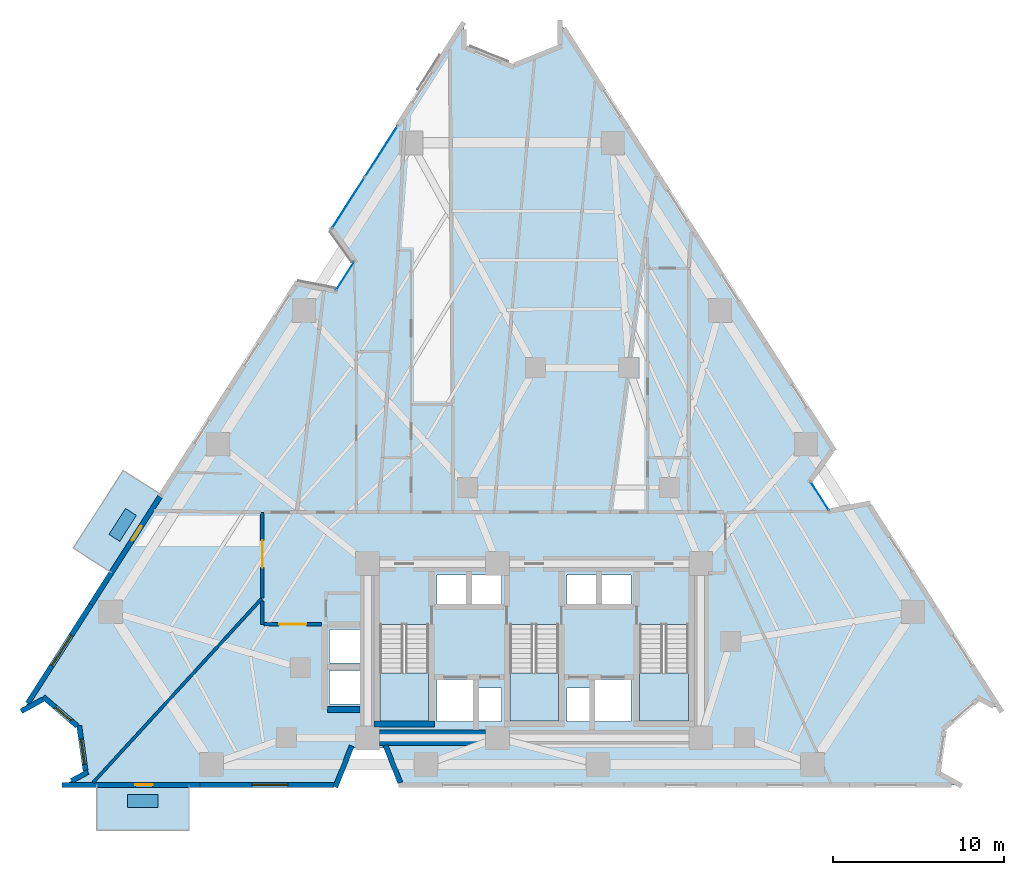
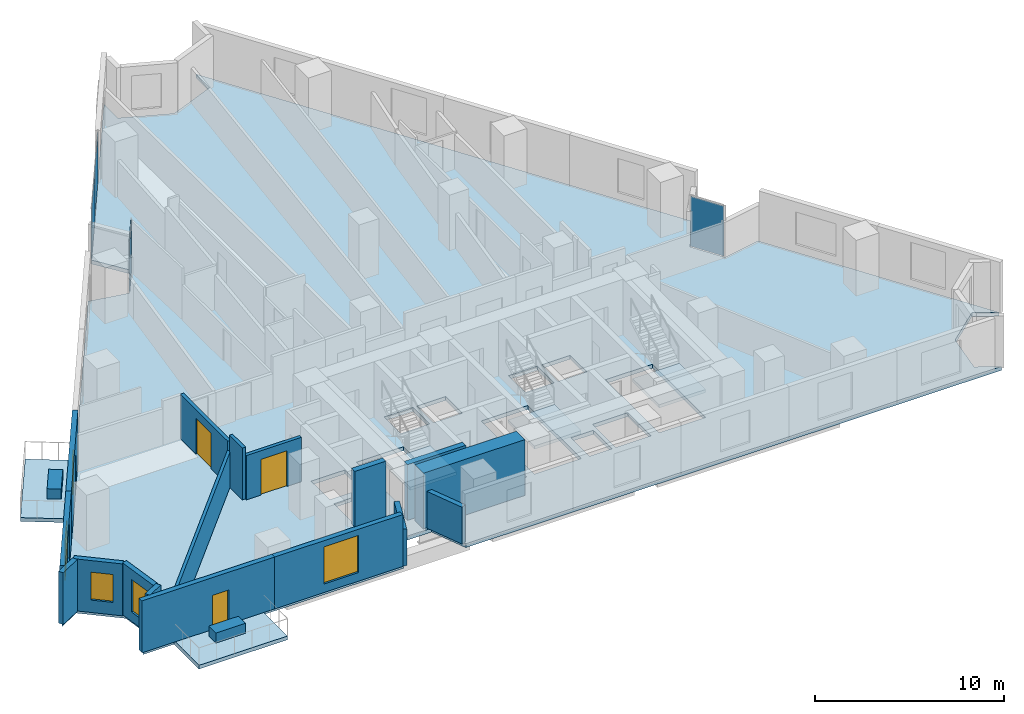
# One storey, part 6 of 14: 17 walls, 6 plates, 6 slabs, 4 doors, 4 windows, 8 openings, 6 elements without a shape of their own.
"""IFC4 building model written with IfcOpenShell, lengths in metres."""

from ifc_helpers import new_model, si_unit, direction, frame, frame_2d, origin, origin_2d, place, context, subcontext, project, spatial, polyline, rectangle, outline, extrude, material, layer, layer_set, type_object, element, fill, aggregate, save


model = new_model("IFC4")

# Units and contexts
model_context = context("Model", 3, precision=1e-05, world=origin(), true_north=direction((0.0, 1.0)))
body_context = subcontext(model_context, "Body", "Model", "MODEL_VIEW")
ifc_project = project(units=[si_unit("LENGTHUNIT", "METRE"), si_unit("AREAUNIT", "SQUARE_METRE"), si_unit("VOLUMEUNIT", "CUBIC_METRE"), si_unit("PLANEANGLEUNIT", "RADIAN"), si_unit("MASSUNIT", "GRAM", prefix="KILO")], contexts=[model_context])

# Site, building, storey
site_placement = place(None, origin())
site = spatial("IfcSite", under=ifc_project, at=site_placement, CompositionType="ELEMENT")
building_placement = place(site_placement, origin())
building = spatial("IfcBuilding", under=site, at=building_placement, Name="Almagre Mirador Tower", CompositionType="ELEMENT")
storey_placement = place(building_placement, frame((0.0, 0.0, 46.199951171875)))
storey = spatial("IfcBuildingStorey", under=building, at=storey_placement, Name="L10", CompositionType="ELEMENT", Elevation=46.199951171875)

# Curtain wall, plate
ifc_material_1 = material(Name="Black anodized aluminium", Category="aluminium")
ifc_layer_1 = layer(ifc_material_1, 0.169921875)
ifc_layer_set_1 = layer_set([ifc_layer_1], Name="Black anodized aluminium")
curtain_wall_type_1 = type_object("IfcCurtainWallType", Name="CW-CRS-SYS", PredefinedType="NOTDEFINED", material=ifc_layer_set_1)
curtain_wall_1_placement = place(storey_placement, origin())
curtain_wall_1 = element("IfcCurtainWall", 1, at=curtain_wall_1_placement, inside=storey, type_object=curtain_wall_type_1, Name="L10 vertical crease curtain wall 01", PredefinedType="NOTDEFINED")
ifc_material_2 = material(Name="Dark solar-control laminated hurricane glass", Category="glass")
ifc_layer_2 = layer(ifc_material_2, 0.028076171875)
ifc_layer_set_2 = layer_set([ifc_layer_2], Name="Dark solar-control laminated hurricane glass")
plate_type_1 = type_object("IfcPlateType", Name="PLT-GLZ-28", PredefinedType="CURTAIN_PANEL", material=ifc_layer_set_2)
plate_1_placement = place(storey_placement, frame((26.236572265625, 31.5791015625, 0.06005859375), z_axis=(0.0, 0.0, 1.0), x_axis=(0.539257350873, 0.842141027103, 0.0)))
plate_1 = element("IfcPlate", 2, at=plate_1_placement, type_object=plate_type_1, Name="CW-4 panel 1.1", PredefinedType="CURTAIN_PANEL", context=body_context, shape_type="SweptSolid", body=[
    extrude(rectangle(XDim=1.969970703125, YDim=0.028076171875, at=origin_2d()), origin(), (0.0, 0.0, 1.0), 3.22998046875),
])
aggregate(curtain_wall_1, [plate_1])

curtain_wall_2_placement = place(storey_placement, origin())
curtain_wall_2 = element("IfcCurtainWall", 3, at=curtain_wall_2_placement, inside=storey, type_object=curtain_wall_type_1, Name="L10 vertical crease curtain wall 03", PredefinedType="NOTDEFINED")
plate_2_placement = place(storey_placement, frame((54.01611328125, 18.700927734375, 0.06005859375), z_axis=(0.0, 0.0, 1.0), x_axis=(0.539596564827, -0.841923718176, 0.0)))
plate_2 = element("IfcPlate", 4, at=plate_2_placement, type_object=plate_type_1, Name="CW-4 panel 1.1", PredefinedType="CURTAIN_PANEL", context=body_context, shape_type="SweptSolid", body=[
    extrude(rectangle(XDim=1.970458984375, YDim=0.028076171875, at=origin_2d()), origin(), (0.0, 0.0, 1.0), 3.22998046875),
])
aggregate(curtain_wall_2, [plate_2])

# Curtain wall, plates
ifc_material_3 = material(Name="Black anodized aluminium", Category="aluminium")
ifc_layer_3 = layer(ifc_material_3, 0.18994140625)
ifc_layer_set_3 = layer_set([ifc_layer_3], Name="Black anodized aluminium")
curtain_wall_type_2 = type_object("IfcCurtainWallType", Name="CW-RES-L-SYS", PredefinedType="NOTDEFINED", material=ifc_layer_set_3)
curtain_wall_3_placement = place(storey_placement, origin())
curtain_wall_3 = element("IfcCurtainWall", 5, at=curtain_wall_3_placement, inside=storey, type_object=curtain_wall_type_2, Name="L10 curtain wall run 02", PredefinedType="NOTDEFINED")
ifc_material_4 = material(Name="Dark solar-control laminated hurricane glass", Category="glass")
ifc_layer_4 = layer(ifc_material_4, 0.031982421875)
ifc_layer_set_4 = layer_set([ifc_layer_4], Name="Dark solar-control laminated hurricane glass")
plate_type_2 = type_object("IfcPlateType", Name="PLT-GLZ-32", PredefinedType="CURTAIN_PANEL", material=ifc_layer_set_4)
plate_3_placement = place(storey_placement, frame((26.427734375, 35.863037109375, 0.06005859375), z_axis=(0.0, 0.0, 1.0), x_axis=(0.539542007368, 0.841958682053, 0.0)))
plate_3 = element("IfcPlate", 6, at=plate_3_placement, type_object=plate_type_2, Name="CW-2 panel 1.1", PredefinedType="CURTAIN_PANEL", context=body_context, shape_type="SweptSolid", body=[
    extrude(rectangle(XDim=3.490234375, YDim=0.031982421875, at=origin_2d()), origin(), (0.0, 0.0, 1.0), 3.22998046875),
])
plate_4_placement = place(storey_placement, frame((28.345947265625, 38.8564453125, 0.06005859375), z_axis=(0.0, 0.0, 1.0), x_axis=(0.539542007368, 0.841958682053, 0.0)))
plate_4 = element("IfcPlate", 7, at=plate_4_placement, type_object=plate_type_2, Name="CW-2 panel 2.1", PredefinedType="CURTAIN_PANEL", context=body_context, shape_type="SweptSolid", body=[
    extrude(rectangle(XDim=3.490234375, YDim=0.031982421875, at=origin_2d()), origin(), (0.0, 0.0, 1.0), 3.22998046875),
])
aggregate(curtain_wall_3, [plate_3, plate_4])

# Plates
ifc_material_5 = material(Name="Precast concrete C50/60", Category="concrete")
ifc_layer_5 = layer(ifc_material_5, 0.64990234375)
ifc_layer_set_5 = layer_set([ifc_layer_5], Name="Precast concrete C50/60")
plate_type_3 = type_object("IfcPlateType", Name="PLT-PLANTER-1800", PredefinedType="USERDEFINED", material=ifc_layer_set_5)
for number, where, z_axis, x_axis, name in (
    (8, (14.39990234375, 0.85009765625, 0.0), (0.0, 0.0, 1.0), (1.0, 0.0, 0.0), "L10 south balcony structural tree planter 1"),
    (9, (13.219970703125, 17.012939453125, 0.0), (0.0, 0.0, 1.0), (-0.539535148555, -0.841963077263, 0.0), "L10 west balcony structural tree planter 2"),
):
    element("IfcPlate", number, at=place(storey_placement, frame(where, z_axis=z_axis, x_axis=x_axis)), inside=storey, type_object=plate_type_3, Name=name, ObjectType="PLANTER", PredefinedType="USERDEFINED", context=body_context, shape_type="SweptSolid", body=[
        extrude(rectangle(XDim=1.800048828125, YDim=0.75, at=origin_2d()), origin(), (0.0, 0.0, 1.0), 0.64990234375),
    ])

# Slabs
ifc_material_6 = material(Name="Concrete C45/55", Category="concrete")
ifc_layer_6 = layer(ifc_material_6, 0.239990234375)
ifc_layer_set_6 = layer_set([ifc_layer_6], Name="Concrete C45/55")
slab_type_1 = type_object("IfcSlabType", Name="SLB-BAL-240", PredefinedType="USERDEFINED", material=ifc_layer_set_6)
slab_1_placement = place(storey_placement, frame((0.0, 0.0, -0.239990234375)))
element("IfcSlab", 10, at=slab_1_placement, inside=storey, type_object=slab_type_1, Name="L10 south planted tree balcony 1", ObjectType="BALCONY", PredefinedType="USERDEFINED", context=body_context, shape_type="SweptSolid", body=[
    extrude(outline(polyline([(11.699951171875, 1.820068359375), (17.10009765625, 1.820068359375), (17.10009765625, -0.85009765625), (11.699951171875, -0.85009765625), (11.699951171875, 1.820068359375)])), origin(), (0.0, 0.0, 1.0), 0.239990234375),
])
slab_2_placement = place(storey_placement, frame((0.0, 0.0, -0.239990234375)))
element("IfcSlab", 11, at=slab_2_placement, inside=storey, type_object=slab_type_1, Name="L10 west planted tree balcony 2", ObjectType="BALCONY", PredefinedType="USERDEFINED", context=body_context, shape_type="SweptSolid", body=[
    extrude(outline(polyline([(15.493896484375, 18.761962890625), (12.580078125, 14.216064453125), (10.33203125, 15.656005859375), (13.24609375, 20.202880859375), (15.493896484375, 18.761962890625)])), origin(), (0.0, 0.0, 1.0), 0.239990234375),
])
ifc_material_7 = material(Name="Concrete C45/55", Category="concrete")
ifc_layer_7 = layer(ifc_material_7, 0.25)
ifc_layer_set_7 = layer_set([ifc_layer_7], Name="Concrete C45/55")
slab_type_2 = type_object("IfcSlabType", Name="SLB-FLR-250", PredefinedType="FLOOR", material=ifc_layer_set_7)
slab_3_placement = place(storey_placement, frame((0.0, 0.0, -0.25)))
element("IfcSlab", 12, at=slab_3_placement, inside=storey, type_object=slab_type_2, Name="L10 structural floor slab", PredefinedType="FLOOR", context=body_context, shape_type="SweptSolid", body=[
    extrude(outline(polyline([(7.406005859375, 6.177978515625), (8.6689453125, 6.868896484375), (10.69189453125, 5.132080078125), (11.06298828125, 2.490966796875), (9.800048828125, 1.800048828125), (25.716064453125, 1.800048828125), (26.571044921875, 3.949951171875), (28.660888671875, 3.949951171875), (29.51611328125, 1.800048828125), (62.199951171875, 1.800048828125), (60.93701171875, 2.490966796875), (61.30810546875, 5.132080078125), (63.3310546875, 6.868896484375), (64.593994140625, 6.177978515625), (56.85107421875, 18.260986328125), (54.580078125, 17.821044921875), (53.451904296875, 19.5810546875), (54.801025390625, 21.4609375), (38.805908203125, 46.422119140625), (38.805908203125, 44.98193359375), (36.0, 43.85595703125), (33.194091796875, 44.98193359375), (33.194091796875, 46.422119140625), (25.450927734375, 34.339111328125), (26.800048828125, 32.458984375), (25.673095703125, 30.698974609375), (23.40087890625, 31.138916015625), (7.406005859375, 6.177978515625)]), holes=[polyline([(43.47509765625, 11.196044921875), (46.324951171875, 11.196044921875), (46.324951171875, 5.550048828125), (43.47509765625, 5.550048828125), (43.47509765625, 11.196044921875)]), polyline([(40.820068359375, 5.52001953125), (40.820068359375, 7.97998046875), (42.97998046875, 7.97998046875), (42.97998046875, 5.52001953125), (40.820068359375, 5.52001953125)]), polyline([(41.219970703125, 12.320068359375), (41.219970703125, 14.080078125), (42.97998046875, 14.080078125), (42.97998046875, 12.320068359375), (41.219970703125, 12.320068359375)]), polyline([(39.219970703125, 12.320068359375), (39.219970703125, 14.080078125), (40.97998046875, 14.080078125), (40.97998046875, 12.320068359375), (39.219970703125, 12.320068359375)]), polyline([(39.219970703125, 5.52001953125), (39.219970703125, 7.47998046875), (40.580078125, 7.47998046875), (40.580078125, 5.52001953125), (39.219970703125, 5.52001953125)]), polyline([(35.875, 11.196044921875), (38.72509765625, 11.196044921875), (38.72509765625, 5.550048828125), (35.875, 5.550048828125), (35.875, 11.196044921875)]), polyline([(35.3798828125, 5.52001953125), (34.02001953125, 5.52001953125), (34.02001953125, 7.47998046875), (35.3798828125, 7.47998046875), (35.3798828125, 5.52001953125)]), polyline([(35.3798828125, 12.320068359375), (33.6201171875, 12.320068359375), (33.6201171875, 14.080078125), (35.3798828125, 14.080078125), (35.3798828125, 12.320068359375)]), polyline([(31.6201171875, 5.52001953125), (31.6201171875, 7.97998046875), (33.780029296875, 7.97998046875), (33.780029296875, 5.52001953125), (31.6201171875, 5.52001953125)]), polyline([(31.6201171875, 12.320068359375), (31.6201171875, 14.080078125), (33.3798828125, 14.080078125), (33.3798828125, 12.320068359375), (31.6201171875, 12.320068359375)]), polyline([(28.27490234375, 5.550048828125), (28.27490234375, 11.196044921875), (31.125, 11.196044921875), (31.125, 5.550048828125), (28.27490234375, 5.550048828125)]), polyline([(25.320068359375, 6.52001953125), (25.320068359375, 8.47998046875), (27.3798828125, 8.47998046875), (27.3798828125, 6.52001953125), (25.320068359375, 6.52001953125)]), polyline([(25.320068359375, 8.919921875), (25.320068359375, 10.8798828125), (27.3798828125, 10.8798828125), (27.3798828125, 8.919921875), (25.320068359375, 8.919921875)])]), origin(), (0.0, 0.0, 1.0), 0.25),
])

# Stair, slab
ifc_material_8 = material(Name="Concrete C45/55", Category="concrete")
stair_type = type_object("IfcStairType", Name="STR-DL-3600", PredefinedType="HALF_TURN_STAIR", material=ifc_material_8)
stair_1_placement = place(storey_placement, origin())
stair_1 = element("IfcStair", 13, at=stair_1_placement, inside=storey, type_object=stair_type, Name="L10 Protected exit stair ST-1", PredefinedType="HALF_TURN_STAIR")
ifc_material_9 = material(Name="Concrete C45/55", Category="concrete")
ifc_layer_8 = layer(ifc_material_9, 0.199951171875)
ifc_layer_set_8 = layer_set([ifc_layer_8], Name="Concrete C45/55")
slab_type_3 = type_object("IfcSlabType", Name="SLB-LND-200", PredefinedType="LANDING", material=ifc_layer_set_8)
slab_4_placement = place(storey_placement, frame((0.0, 0.0, 1.60009765625)))
slab_4 = element("IfcSlab", 14, at=slab_4_placement, type_object=slab_type_3, Name="ST-1 landing 1", PredefinedType="LANDING", context=body_context, shape_type="SweptSolid", body=[
    extrude(outline(polyline([(28.27490234375, 8.35009765625), (28.27490234375, 5.550048828125), (31.125, 5.550048828125), (31.125, 8.35009765625), (28.27490234375, 8.35009765625)])), origin(), (0.0, 0.0, 1.0), 0.199951171875),
])
aggregate(stair_1, [slab_4])

stair_2_placement = place(storey_placement, origin())
stair_2 = element("IfcStair", 15, at=stair_2_placement, inside=storey, type_object=stair_type, Name="L10 Protected exit stair ST-2", PredefinedType="HALF_TURN_STAIR")
slab_5_placement = place(storey_placement, frame((0.0, 0.0, 1.60009765625)))
slab_5 = element("IfcSlab", 16, at=slab_5_placement, type_object=slab_type_3, Name="ST-2 landing 1", PredefinedType="LANDING", context=body_context, shape_type="SweptSolid", body=[
    extrude(outline(polyline([(35.875, 8.35009765625), (35.875, 5.550048828125), (38.72509765625, 5.550048828125), (38.72509765625, 8.35009765625), (35.875, 8.35009765625)])), origin(), (0.0, 0.0, 1.0), 0.199951171875),
])
aggregate(stair_2, [slab_5])

stair_3_placement = place(storey_placement, origin())
stair_3 = element("IfcStair", 17, at=stair_3_placement, inside=storey, type_object=stair_type, Name="L10 Protected exit stair ST-3", PredefinedType="HALF_TURN_STAIR")
slab_6_placement = place(storey_placement, frame((0.0, 0.0, 1.60009765625)))
slab_6 = element("IfcSlab", 18, at=slab_6_placement, type_object=slab_type_3, Name="ST-3 landing 1", PredefinedType="LANDING", context=body_context, shape_type="SweptSolid", body=[
    extrude(outline(polyline([(43.47509765625, 8.35009765625), (43.47509765625, 5.550048828125), (46.324951171875, 5.550048828125), (46.324951171875, 8.35009765625), (43.47509765625, 8.35009765625)])), origin(), (0.0, 0.0, 1.0), 0.199951171875),
])
aggregate(stair_3, [slab_6])

# Walls
ifc_material_10 = material(Name="Precast concrete C50/60", Category="concrete")
ifc_layer_9 = layer(ifc_material_10, 0.300048828125)
ifc_layer_set_9 = layer_set([ifc_layer_9], Name="Precast concrete C50/60")
wall_type_1 = type_object("IfcWallType", Name="WAL-EXT-300", PredefinedType="SOLIDWALL", material=ifc_layer_set_9)
wall_1_placement = place(storey_placement, frame((29.466064453125, 1.92529296875, 0.0), z_axis=(0.0, 0.0, 1.0), x_axis=(-0.36946923074, 0.92924296475, 0.0)))
element("IfcWall", 19, at=wall_1_placement, inside=storey, type_object=wall_type_1, Name="L10 expressed almagre precast frame wall 25", PredefinedType="SOLIDWALL", context=body_context, shape_type="SweptSolid", body=[
    extrude(rectangle(XDim=2.366943359375, YDim=0.300048828125, at=frame_2d((1.18359375, 0.0))), origin(), (0.0, 0.0, 1.0), 2.375),
])
wall_2_placement = place(storey_placement, frame((26.622802734375, 4.080078125, 0.0), z_axis=(0.0, 0.0, 1.0), x_axis=(-0.369539870332, -0.929214875169, 0.0)))
element("IfcWall", 20, at=wall_2_placement, inside=storey, type_object=wall_type_1, Name="L10 expressed almagre precast frame wall 26", PredefinedType="SOLIDWALL", context=body_context, shape_type="SweptSolid", body=[
    extrude(rectangle(XDim=2.59375, YDim=0.300048828125, at=frame_2d((1.296875, 0.0))), origin(), (0.0, 0.0, 1.0), 2.375),
])

# Wall, opening, window
wall_3_placement = place(storey_placement, frame((25.5810546875, 1.800048828125, 0.0), z_axis=(0.0, 0.0, 1.0), x_axis=(-1.0, 0.0, 0.0)))
wall_3 = element("IfcWall", 21, at=wall_3_placement, inside=storey, type_object=wall_type_1, Name="L10 expressed almagre precast frame wall 27", PredefinedType="SOLIDWALL", context=body_context, shape_type="SweptSolid", body=[
    extrude(rectangle(XDim=7.822998046875, YDim=0.300048828125, at=frame_2d((3.91162109375, 0.0))), origin(), (0.0, 0.0, 1.0), 3.35009765625),
])
opening_1_placement = place(wall_3_placement, frame((2.699951171875, 0.0, 0.550048828125)))
opening_1 = element("IfcOpeningElement", 22, at=opening_1_placement, cuts=wall_3, Name="Opening WN-05", PredefinedType="OPENING", context=body_context, shape_type="SweptSolid", body=[
    extrude(rectangle(XDim=2.10009765625, YDim=2.39990234375, at=frame_2d((1.050048828125, 1.199951171875))), frame((0.0, 0.159902, 0.0), z_axis=(0.0, -1.0, 0.0), x_axis=(1.0, 0.0, 0.0)), (0.0, 0.0, 1.0), 0.320049),
])
ifc_material_11 = material(Name="Dark solar-control laminated hurricane glass", Category="glass")
window_type_1 = type_object("IfcWindowType", Name="WIN-2100X2400", PartitioningType="DOUBLE_PANEL_VERTICAL", PredefinedType="WINDOW", material=ifc_material_11)
window_1_placement = place(opening_1_placement, origin())
window_1 = element("IfcWindow", 23, at=window_1_placement, inside=storey, type_object=window_type_1, Name="L10 recessed hurricane window L10-RST-A", OverallHeight=2.39990234375, OverallWidth=2.10009765625, PartitioningType="SINGLE_PANEL", PredefinedType="WINDOW", context=body_context, shape_type="SweptSolid", body=[
    extrude(rectangle(XDim=2.10009765625, YDim=2.39990234375, at=frame_2d((1.050048828125, 1.199951171875))), frame((0.0, 0.030029296875, 0.0), z_axis=(0.0, -1.0, 0.0), x_axis=(1.0, 0.0, 0.0)), (0.0, 0.0, 1.0), 0.06005859375),
])
fill(opening_1, window_1)

# Wall, opening, door
wall_4_placement = place(storey_placement, frame((17.758056640625, 1.800048828125, 0.0), z_axis=(0.0, 0.0, 1.0), x_axis=(-1.0, 0.0, 0.0)))
wall_4 = element("IfcWall", 24, at=wall_4_placement, inside=storey, type_object=wall_type_1, Name="L10 expressed almagre precast frame wall 28", PredefinedType="SOLIDWALL", context=body_context, shape_type="SweptSolid", body=[
    extrude(rectangle(XDim=8.09814453125, YDim=0.300048828125, at=frame_2d((4.049072265625, 0.0))), origin(), (0.0, 0.0, 1.0), 3.35009765625),
])
opening_2_placement = place(wall_4_placement, frame((2.79248046875, 0.0, 0.0)))
opening_2 = element("IfcOpeningElement", 25, at=opening_2_placement, cuts=wall_4, Name="Opening BD-01", PredefinedType="OPENING", context=body_context, shape_type="SweptSolid", body=[
    extrude(rectangle(XDim=1.0, YDim=2.199951171875, at=frame_2d((0.5, 1.10009765625))), frame((0.0, 0.159902, 0.0), z_axis=(0.0, -1.0, 0.0), x_axis=(1.0, 0.0, 0.0)), (0.0, 0.0, 1.0), 0.320049),
])
ifc_material_12 = material(Name="Black anodized aluminium and laminated glass", Category="aluminium")
door_type_1 = type_object("IfcDoorType", Name="DOR-BAL-1000X2200", OperationType="NOTDEFINED", PredefinedType="DOOR", material=ifc_material_12)
door_1_placement = place(opening_2_placement, origin())
door_1 = element("IfcDoor", 26, at=door_1_placement, inside=storey, type_object=door_type_1, Name="DR-0314 L10 south balcony glazed door 1", OperationType="SINGLE_SWING_LEFT", OverallHeight=2.199951171875, OverallWidth=1.0, PredefinedType="DOOR", context=body_context, shape_type="SweptSolid", body=[
    extrude(rectangle(XDim=1.0, YDim=2.199951171875, at=frame_2d((0.5, 1.10009765625))), frame((0.0, 0.02490234375, 0.0), z_axis=(0.0, -1.0, 0.0), x_axis=(1.0, 0.0, 0.0)), (0.0, 0.0, 1.0), 0.050048828125),
])
fill(opening_2, door_1)

# Wall
wall_5_placement = place(storey_placement, frame((10.22119140625, 2.030517578125, 0.0), z_axis=(0.0, 0.0, 1.0), x_axis=(0.877343386297, 0.479863087266, 0.0)))
element("IfcWall", 27, at=wall_5_placement, inside=storey, type_object=wall_type_1, Name="L10 expressed almagre precast frame wall 29", PredefinedType="SOLIDWALL", context=body_context, shape_type="SweptSolid", body=[
    extrude(rectangle(XDim=1.099365234375, YDim=0.300048828125, at=frame_2d((0.5498046875, 0.0))), origin(), (0.0, 0.0, 1.0), 3.35009765625),
])

# Wall, opening, window
wall_6_placement = place(storey_placement, frame((11.044189453125, 2.624755859375, 0.0), z_axis=(0.0, 0.0, 1.0), x_axis=(-0.139079814349, 0.990281174839, 0.0)))
wall_6 = element("IfcWall", 28, at=wall_6_placement, inside=storey, type_object=wall_type_1, Name="L10 expressed almagre precast frame wall 30", PredefinedType="SOLIDWALL", context=body_context, shape_type="SweptSolid", body=[
    extrude(rectangle(XDim=2.671630859375, YDim=0.300048828125, at=frame_2d((1.3359375, 0.0))), origin(), (0.0, 0.0, 1.0), 3.35009765625),
])
opening_3_placement = place(wall_6_placement, frame((0.375, 0.0, 0.60009765625)))
opening_3 = element("IfcOpeningElement", 29, at=opening_3_placement, cuts=wall_6, Name="Opening WN-03", PredefinedType="OPENING", context=body_context, shape_type="SweptSolid", body=[
    extrude(rectangle(XDim=1.5, YDim=2.10009765625, at=frame_2d((0.75, 1.050048828125))), frame((0.0, 0.159902, 0.0), z_axis=(0.0, -1.0, 0.0), x_axis=(1.0, 0.0, 0.0)), (0.0, 0.0, 1.0), 0.320049),
])
ifc_material_13 = material(Name="Dark solar-control laminated hurricane glass", Category="glass")
window_type_2 = type_object("IfcWindowType", Name="WIN-1500X2100", PartitioningType="DOUBLE_PANEL_VERTICAL", PredefinedType="WINDOW", material=ifc_material_13)
window_2_placement = place(opening_3_placement, origin())
window_2 = element("IfcWindow", 30, at=window_2_placement, inside=storey, type_object=window_type_2, Name="L10 recessed hurricane window L10-RST-C", OverallHeight=2.10009765625, OverallWidth=1.5, PartitioningType="SINGLE_PANEL", PredefinedType="WINDOW", context=body_context, shape_type="SweptSolid", body=[
    extrude(rectangle(XDim=1.5, YDim=2.10009765625, at=frame_2d((0.75, 1.050048828125))), frame((0.0, 0.030029296875, 0.0), z_axis=(0.0, -1.0, 0.0), x_axis=(1.0, 0.0, 0.0)), (0.0, 0.0, 1.0), 0.06005859375),
])
fill(opening_3, window_2)

wall_7_placement = place(storey_placement, frame((10.574462890625, 5.23291015625, 0.0), z_axis=(0.0, 0.0, 1.0), x_axis=(-0.758703874518, 0.651435668958, 0.0)))
wall_7 = element("IfcWall", 31, at=wall_7_placement, inside=storey, type_object=wall_type_1, Name="L10 expressed almagre precast frame wall 31", PredefinedType="SOLIDWALL", context=body_context, shape_type="SweptSolid", body=[
    extrude(rectangle(XDim=2.651611328125, YDim=0.300048828125, at=frame_2d((1.32568359375, 0.0))), origin(), (0.0, 0.0, 1.0), 3.35009765625),
])
opening_4_placement = place(wall_7_placement, frame((0.5048828125, 0.0, 0.800048828125)))
opening_4 = element("IfcOpeningElement", 32, at=opening_4_placement, cuts=wall_7, Name="Opening WN-04", PredefinedType="OPENING", context=body_context, shape_type="SweptSolid", body=[
    extrude(rectangle(XDim=1.199951171875, YDim=1.800048828125, at=frame_2d((0.60009765625, 0.89990234375))), frame((0.0, 0.159902, 0.0), z_axis=(0.0, -1.0, 0.0), x_axis=(1.0, 0.0, 0.0)), (0.0, 0.0, 1.0), 0.320049),
])
ifc_material_14 = material(Name="Dark solar-control laminated hurricane glass", Category="glass")
window_type_3 = type_object("IfcWindowType", Name="WIN-1200X1800", PartitioningType="SINGLE_PANEL", PredefinedType="WINDOW", material=ifc_material_14)
window_3_placement = place(opening_4_placement, origin())
window_3 = element("IfcWindow", 33, at=window_3_placement, inside=storey, type_object=window_type_3, Name="L10 recessed hurricane window L10-RST-C", OverallHeight=1.800048828125, OverallWidth=1.199951171875, PartitioningType="SINGLE_PANEL", PredefinedType="WINDOW", context=body_context, shape_type="SweptSolid", body=[
    extrude(rectangle(XDim=1.199951171875, YDim=1.800048828125, at=frame_2d((0.60009765625, 0.89990234375))), frame((0.0, 0.030029296875, 0.0), z_axis=(0.0, -1.0, 0.0), x_axis=(1.0, 0.0, 0.0)), (0.0, 0.0, 1.0), 0.06005859375),
])
fill(opening_4, window_3)

# Wall
wall_8_placement = place(storey_placement, frame((8.546142578125, 6.8017578125, 0.0), z_axis=(0.0, 0.0, 1.0), x_axis=(-0.877298620335, -0.479944924714, 0.0)))
element("IfcWall", 34, at=wall_8_placement, inside=storey, type_object=wall_type_1, Name="L10 expressed almagre precast frame wall 32", PredefinedType="SOLIDWALL", context=body_context, shape_type="SweptSolid", body=[
    extrude(rectangle(XDim=1.439697265625, YDim=0.300048828125, at=frame_2d((0.7197265625, 0.0))), origin(), (0.0, 0.0, 1.0), 3.35009765625),
])

# Wall, opening, window
wall_9_placement = place(storey_placement, frame((7.65966796875, 6.57373046875, 0.0), z_axis=(0.0, 0.0, 1.0), x_axis=(0.539514369137, 0.84197639248, 0.0)))
wall_9 = element("IfcWall", 35, at=wall_9_placement, inside=storey, type_object=wall_type_1, Name="L10 expressed almagre precast frame wall 33", PredefinedType="SOLIDWALL", context=body_context, shape_type="SweptSolid", body=[
    extrude(rectangle(XDim=6.87158203125, YDim=0.300048828125, at=frame_2d((3.435791015625, 0.0))), origin(), (0.0, 0.0, 1.0), 3.35009765625),
])
opening_5_placement = place(wall_9_placement, frame((2.614990234375, 0.0, 0.550048828125)))
opening_5 = element("IfcOpeningElement", 36, at=opening_5_placement, cuts=wall_9, Name="Opening WN-05", PredefinedType="OPENING", context=body_context, shape_type="SweptSolid", body=[
    extrude(rectangle(XDim=2.10009765625, YDim=2.39990234375, at=frame_2d((1.050048828125, 1.199951171875))), frame((0.0, 0.159902, 0.0), z_axis=(0.0, -1.0, 0.0), x_axis=(1.0, 0.0, 0.0)), (0.0, 0.0, 1.0), 0.320049),
])
window_4_placement = place(opening_5_placement, origin())
window_4 = element("IfcWindow", 37, at=window_4_placement, inside=storey, type_object=window_type_1, Name="L10 recessed hurricane window L10-RST-C", OverallHeight=2.39990234375, OverallWidth=2.10009765625, PartitioningType="SINGLE_PANEL", PredefinedType="WINDOW", context=body_context, shape_type="SweptSolid", body=[
    extrude(rectangle(XDim=2.10009765625, YDim=2.39990234375, at=frame_2d((1.050048828125, 1.199951171875))), frame((0.0, 0.030029296875, 0.0), z_axis=(0.0, -1.0, 0.0), x_axis=(1.0, 0.0, 0.0)), (0.0, 0.0, 1.0), 0.06005859375),
])
fill(opening_5, window_4)

# Wall, opening, door
wall_10_placement = place(storey_placement, frame((11.366943359375, 12.359375, 0.0), z_axis=(0.0, 0.0, 1.0), x_axis=(0.539548093607, 0.841954781853, 0.0)))
wall_10 = element("IfcWall", 38, at=wall_10_placement, inside=storey, type_object=wall_type_1, Name="L10 expressed almagre precast frame wall 34", PredefinedType="SOLIDWALL", context=body_context, shape_type="SweptSolid", body=[
    extrude(rectangle(XDim=7.4814453125, YDim=0.300048828125, at=frame_2d((3.74072265625, 0.0))), origin(), (0.0, 0.0, 1.0), 3.35009765625),
])
opening_6_placement = place(wall_10_placement, frame((4.44921875, 0.0, 0.0)))
opening_6 = element("IfcOpeningElement", 39, at=opening_6_placement, cuts=wall_10, Name="Opening BD-01", PredefinedType="OPENING", context=body_context, shape_type="SweptSolid", body=[
    extrude(rectangle(XDim=1.0, YDim=2.199951171875, at=frame_2d((0.5, 1.10009765625))), frame((0.0, 0.159902, 0.0), z_axis=(0.0, -1.0, 0.0), x_axis=(1.0, 0.0, 0.0)), (0.0, 0.0, 1.0), 0.320049),
])
door_2_placement = place(opening_6_placement, origin())
door_2 = element("IfcDoor", 40, at=door_2_placement, inside=storey, type_object=door_type_1, Name="DR-0315 L10 west balcony glazed door 2", OperationType="SINGLE_SWING_RIGHT", OverallHeight=2.199951171875, OverallWidth=1.0, PredefinedType="DOOR", context=body_context, shape_type="SweptSolid", body=[
    extrude(rectangle(XDim=1.0, YDim=2.199951171875, at=frame_2d((0.5, 1.10009765625))), frame((0.0, 0.02490234375, 0.0), z_axis=(0.0, -1.0, 0.0), x_axis=(1.0, 0.0, 0.0)), (0.0, 0.0, 1.0), 0.050048828125),
])
fill(opening_6, door_2)

# Walls
ifc_material_15 = material(Name="Gypsum acoustic stud partition", Category="other")
ifc_layer_10 = layer(ifc_material_15, 0.175048828125)
ifc_layer_set_10 = layer_set([ifc_layer_10], Name="Gypsum acoustic stud partition")
wall_type_2 = type_object("IfcWallType", Name="WAL-PRT-175-AC", PredefinedType="PARTITIONING", material=ifc_layer_set_10)
wall_11_placement = place(storey_placement, frame((21.34228515625, 12.6875, 0.0), z_axis=(0.0, 0.0, 1.0), x_axis=(-0.675645057992, -0.737227071947, 0.0)))
element("IfcWall", 41, at=wall_11_placement, inside=storey, type_object=wall_type_2, Name="L10 interior partition 018", PredefinedType="PARTITIONING", context=body_context, shape_type="SweptSolid", body=[
    extrude(rectangle(XDim=14.58935546875, YDim=0.175048828125, at=frame_2d((7.294677734375, 0.0))), origin(), (0.0, 0.0, 1.0), 2.279052734375),
])
ifc_material_16 = material(Name="Gypsum acoustic stud partition", Category="other")
ifc_layer_11 = layer(ifc_material_16, 0.199951171875)
ifc_layer_set_11 = layer_set([ifc_layer_11], Name="Gypsum acoustic stud partition")
wall_type_3 = type_object("IfcWallType", Name="WAL-PRT-200-EI60", PredefinedType="PARTITIONING", material=ifc_layer_set_11)
wall_12_placement = place(storey_placement, frame((21.39990234375, 12.574951171875, 0.0), z_axis=(0.0, 0.0, 1.0), x_axis=(0.0, -1.0, 0.0)))
element("IfcWall", 42, at=wall_12_placement, inside=storey, type_object=wall_type_3, Name="L10 interior partition 001", PredefinedType="PARTITIONING", context=body_context, shape_type="SweptSolid", body=[
    extrude(rectangle(XDim=1.375, YDim=0.199951171875, at=frame_2d((0.6875, 0.0))), origin(), (0.0, 0.0, 1.0), 3.35009765625),
])

# Wall, opening, door
wall_13_placement = place(storey_placement, frame((21.485107421875, 11.199951171875, 0.0), z_axis=(0.0, 0.0, 1.0), x_axis=(1.0, 0.0, 0.0)))
wall_13 = element("IfcWall", 43, at=wall_13_placement, inside=storey, type_object=wall_type_3, Name="L10 interior partition 002", PredefinedType="PARTITIONING", context=body_context, shape_type="SweptSolid", body=[
    extrude(rectangle(XDim=3.384033203125, YDim=0.199951171875, at=frame_2d((1.69189453125, 0.0))), origin(), (0.0, 0.0, 1.0), 2.860107421875),
])
opening_7_placement = place(wall_13_placement, frame((0.889892578125, 0.0, 0.0)))
opening_7 = element("IfcOpeningElement", 44, at=opening_7_placement, cuts=wall_13, Name="Opening ID-05", PredefinedType="OPENING", context=body_context, shape_type="SweptSolid", body=[
    extrude(rectangle(XDim=1.60009765625, YDim=2.300048828125, at=frame_2d((0.800048828125, 1.14990234375))), frame((0.0, 0.110098, 0.0), z_axis=(0.0, -1.0, 0.0), x_axis=(1.0, 0.0, 0.0)), (0.0, 0.0, 1.0), 0.219951),
])
ifc_material_17 = material(Name="Fire-rated acoustic timber", Category="wood")
door_type_2 = type_object("IfcDoorType", Name="DOR-FD60-1600X2300", OperationType="DOUBLE_DOOR_SINGLE_SWING", PredefinedType="DOOR", material=ifc_material_17)
door_3_placement = place(opening_7_placement, origin())
door_3 = element("IfcDoor", 45, at=door_3_placement, inside=storey, type_object=door_type_2, Name="DR-0321 L10 interior door L10-RCOR to L10-RST-A", OperationType="DOUBLE_DOOR_SINGLE_SWING", OverallHeight=2.300048828125, OverallWidth=1.60009765625, PredefinedType="DOOR", context=body_context, shape_type="SweptSolid", body=[
    extrude(rectangle(XDim=1.60009765625, YDim=2.300048828125, at=frame_2d((0.800048828125, 1.14990234375))), frame((0.0, 0.02490234375, 0.0), z_axis=(0.0, -1.0, 0.0), x_axis=(1.0, 0.0, 0.0)), (0.0, 0.0, 1.0), 0.050048828125),
])
fill(opening_7, door_3)

wall_14_placement = place(storey_placement, frame((21.39990234375, 17.75, 0.0), z_axis=(0.0, 0.0, 1.0), x_axis=(0.0, -1.0, 0.0)))
wall_14 = element("IfcWall", 46, at=wall_14_placement, inside=storey, type_object=wall_type_3, Name="L10 interior partition 005", PredefinedType="PARTITIONING", context=body_context, shape_type="SweptSolid", body=[
    extrude(rectangle(XDim=5.0, YDim=0.199951171875, at=frame_2d((2.5, 0.0))), origin(), (0.0, 0.0, 1.0), 2.860107421875),
])
opening_8_placement = place(wall_14_placement, frame((1.64208984375, 0.0, 0.0)))
opening_8 = element("IfcOpeningElement", 47, at=opening_8_placement, cuts=wall_14, Name="Opening ID-05", PredefinedType="OPENING", context=body_context, shape_type="SweptSolid", body=[
    extrude(rectangle(XDim=1.60009765625, YDim=2.300048828125, at=frame_2d((0.800048828125, 1.14990234375))), frame((0.0, 0.110098, 0.0), z_axis=(0.0, -1.0, 0.0), x_axis=(1.0, 0.0, 0.0)), (0.0, 0.0, 1.0), 0.219951),
])
door_4_placement = place(opening_8_placement, origin())
door_4 = element("IfcDoor", 48, at=door_4_placement, inside=storey, type_object=door_type_2, Name="DR-0322 L10 interior door L10-RCOR to L10-RST-C", OperationType="DOUBLE_DOOR_SINGLE_SWING", OverallHeight=2.300048828125, OverallWidth=1.60009765625, PredefinedType="DOOR", context=body_context, shape_type="SweptSolid", body=[
    extrude(rectangle(XDim=1.60009765625, YDim=2.300048828125, at=frame_2d((0.800048828125, 1.14990234375))), frame((0.0, 0.02490234375, 0.0), z_axis=(0.0, -1.0, 0.0), x_axis=(1.0, 0.0, 0.0)), (0.0, 0.0, 1.0), 0.050048828125),
])
fill(opening_8, door_4)

# Walls
ifc_material_18 = material(Name="Concrete C60/75", Category="concrete")
ifc_layer_12 = layer(ifc_material_18, 0.35009765625)
ifc_layer_set_12 = layer_set([ifc_layer_12], Name="Concrete C60/75")
wall_type_4 = type_object("IfcWallType", Name="WAL-SHF-350", PredefinedType="SOLIDWALL", material=ifc_layer_set_12)
wall_15_placement = place(storey_placement, frame((27.925048828125, 5.375, 0.0), z_axis=(0.0, 0.0, 1.0), x_axis=(1.0, 0.0, 0.0)))
element("IfcWall", 49, at=wall_15_placement, inside=storey, type_object=wall_type_4, Name="L10 shaft wall ST1-S", PredefinedType="SOLIDWALL", context=body_context, shape_type="SweptSolid", body=[
    extrude(rectangle(XDim=3.550048828125, YDim=0.35009765625, at=frame_2d((1.77490234375, 0.0))), origin(), (0.0, 0.0, 1.0), 3.60009765625),
])
wall_16_placement = place(storey_placement, frame((25.199951171875, 6.22509765625, 0.0), z_axis=(0.0, 0.0, 1.0), x_axis=(1.0, 0.0, 0.0)))
element("IfcWall", 50, at=wall_16_placement, inside=storey, type_object=wall_type_4, Name="L10 shaft wall OL-S", PredefinedType="SOLIDWALL", context=body_context, shape_type="SweptSolid", body=[
    extrude(rectangle(XDim=1.900146484375, YDim=0.35009765625, at=frame_2d((0.9501953125, 0.0))), origin(), (0.0, 0.0, 1.0), 3.60009765625),
])
ifc_material_19 = material(Name="Concrete C70/85", Category="concrete")
ifc_layer_13 = layer(ifc_material_19, 0.89990234375)
ifc_layer_set_13 = layer_set([ifc_layer_13], Name="Concrete C70/85")
wall_type_5 = type_object("IfcWallType", Name="WAL-SHR-900", PredefinedType="SHEAR", material=ifc_layer_set_13)
wall_17_placement = place(storey_placement, frame((28.25, 4.550048828125, 0.0), z_axis=(0.0, 0.0, 1.0), x_axis=(1.0, 0.0, 0.0)))
element("IfcWall", 51, at=wall_17_placement, inside=storey, type_object=wall_type_5, Name="L10 core shear wall S1", PredefinedType="SHEAR", context=body_context, shape_type="SweptSolid", body=[
    extrude(rectangle(XDim=6.199951171875, YDim=0.89990234375, at=frame_2d((3.10009765625, 0.0))), origin(), (0.0, 0.0, 1.0), 3.60009765625),
])

save(model, "model.ifc")
